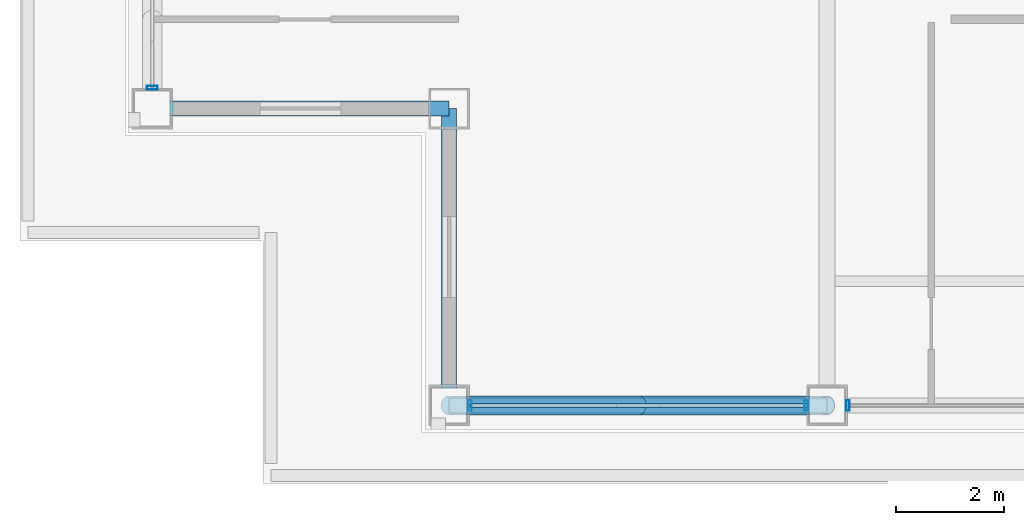
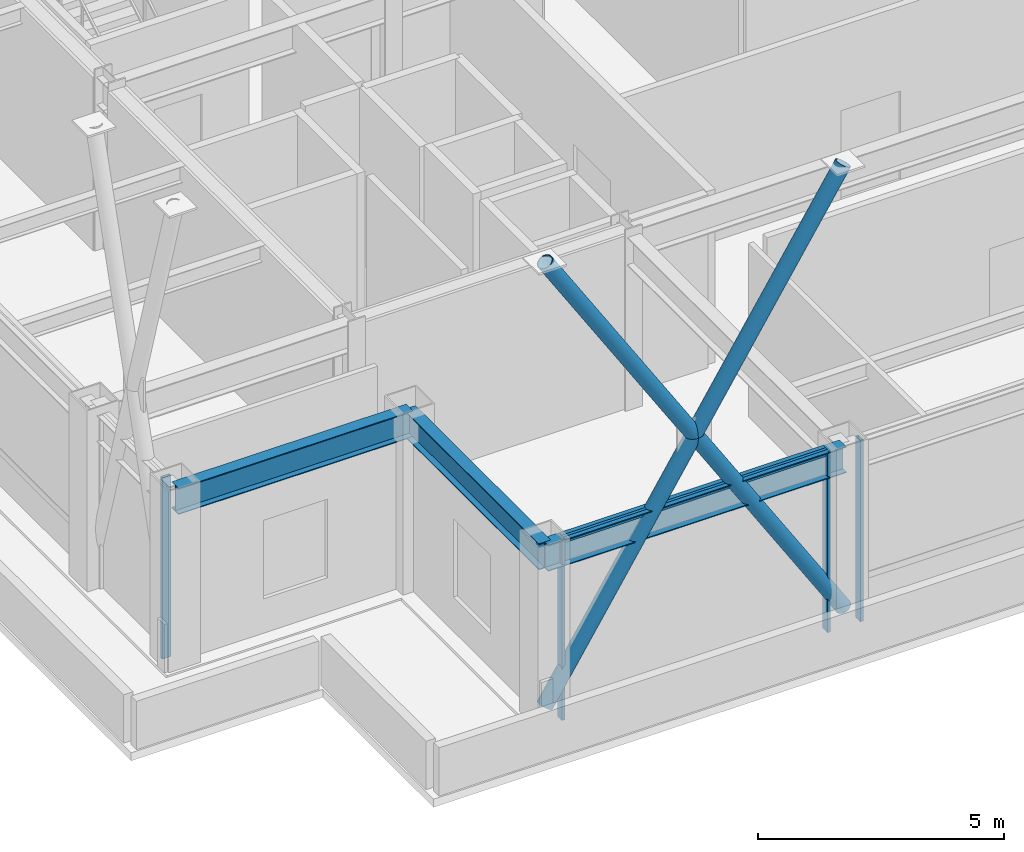
# One storey, part 2 of 24: 8 members, 3 beams, 3 elements without a shape of their own.
"""IFC4 building model written with IfcOpenShell, lengths in metres."""

from ifc_helpers import new_model, si_unit, direction, frame, origin, origin_2d, place, context, subcontext, project, spatial, hollow_rectangle, hollow_circle, i_section, extrude, material, layer, layer_set, material_profile, profile_set, type_object, element, aggregate, save


model = new_model("IFC4")

# Units and contexts
model_context = context("Model", 3, precision=1e-05, world=origin(), true_north=direction((0.0, 1.0)))
body_context = subcontext(model_context, "Body", "Model", "MODEL_VIEW")
ifc_project = project(units=[si_unit("LENGTHUNIT", "METRE"), si_unit("AREAUNIT", "SQUARE_METRE"), si_unit("VOLUMEUNIT", "CUBIC_METRE"), si_unit("PLANEANGLEUNIT", "RADIAN"), si_unit("MASSUNIT", "GRAM", prefix="KILO")], contexts=[model_context])

# Site, building, storey
site_placement = place(None, origin())
site = spatial("IfcSite", under=ifc_project, at=site_placement, CompositionType="ELEMENT")
building_placement = place(site_placement, origin())
building = spatial("IfcBuilding", under=site, at=building_placement, Name="Brelmoor Portico Tower", CompositionType="ELEMENT")
storey_placement = place(building_placement, frame((0.0, 0.0, 150.60009765625)))
storey = spatial("IfcBuildingStorey", under=building, at=storey_placement, Name="L39", CompositionType="ELEMENT", Elevation=150.60009765625)

# Beams
ifc_material_1 = material(Name="Steel Q355B", Category="steel")
ifc_material_profile_1 = material_profile(ifc_material_1, i_section(OverallWidth=0.280029296875, OverallDepth=0.64990234375, WebThickness=0.012939453125, FlangeThickness=0.02197265625, at=origin_2d()), Name="HN 650x280x13x22")
ifc_profile_set_1 = profile_set([ifc_material_profile_1], Name="Steel Q355B")
beam_type = type_object("IfcBeamType", Name="BM-SP-650", PredefinedType="SPANDREL", material=ifc_profile_set_1)
beam_placement = place(storey_placement, frame((-15.050048828125, -18.550048828125, 3.974853515625), z_axis=(1.0, 0.0, 0.0), x_axis=(0.0, 1.0, 0.0)))
element("IfcBeam", 1, at=beam_placement, inside=storey, type_object=beam_type, Name="L39 Perimeter Spandrel Beam SP-01", PredefinedType="SPANDREL", context=body_context, shape_type="SweptSolid", body=[
    extrude(i_section(OverallWidth=0.280029296875, OverallDepth=0.64990234375, WebThickness=0.012939453125, FlangeThickness=0.02197265625, at=origin_2d()), origin(), (0.0, 0.0, 1.0), 7.0),
])
for number, where, z_axis, x_axis, name in (
    (2, (-20.550048828125, -13.050048828125, 3.974853515625), (1.0, 0.0, 0.0), (0.0, 1.0, 0.0), "L39 Perimeter Spandrel Beam SP-04"),
    (3, (-15.050048828125, -18.550048828125, 3.974853515625), (0.0, 1.0, 0.0), (-1.0, 0.0, 0.0), "L39 Perimeter Spandrel Beam SP-14"),
):
    element("IfcBeam", number, at=place(storey_placement, frame(where, z_axis=z_axis, x_axis=x_axis)), inside=storey, type_object=beam_type, Name=name, PredefinedType="SPANDREL", context=body_context, shape_type="SweptSolid", body=[
        extrude(i_section(OverallWidth=0.280029296875, OverallDepth=0.64990234375, WebThickness=0.012939453125, FlangeThickness=0.02197265625, at=origin_2d()), origin(), (0.0, 0.0, 1.0), 5.5),
    ])

# Members
ifc_material_profile_2 = material_profile(ifc_material_1, hollow_circle(Radius=0.177978515625, WallThickness=0.01611328125, at=origin_2d()), Name="CHS 356x16")
ifc_profile_set_2 = profile_set([ifc_material_profile_2], Name="Steel Q355B")
member_type_1 = type_object("IfcMemberType", Name="MB-BELT-DIAG2", PredefinedType="BRACE", material=ifc_profile_set_2)
member_1_placement = place(storey_placement, frame((-15.050048828125, -18.550048828125, 0.25), z_axis=(0.536875492193, 0.0, 0.843661487732), x_axis=(0.0, 1.0, 0.0)))
element("IfcMember", 4, at=member_1_placement, inside=storey, type_object=member_type_1, Name="L39 Continuous Mega-X Brace 084A", PredefinedType="BRACE", context=body_context, shape_type="SweptSolid", body=[
    extrude(hollow_circle(Radius=0.177978515625, WallThickness=0.01611328125, at=origin_2d()), origin(), (0.0, 0.0, 1.0), 13.038330078125),
])
for number, where, z_axis, x_axis, name in (
    (5, (-8.050048828125, -18.550048828125, 0.25), (-0.536875492193, 0.0, 0.843661487732), (0.0, -1.0, 0.0), "L39 Split Mega-X Brace 084B1"),
    (6, (-11.550048828125, -18.550048828125, 5.75), (-0.536875492193, 0.0, 0.843661487732), (0.0, -1.0, 0.0), "L39 Split Mega-X Brace 084B2"),
):
    element("IfcMember", number, at=place(storey_placement, frame(where, z_axis=z_axis, x_axis=x_axis)), inside=storey, type_object=member_type_1, Name=name, PredefinedType="BRACE", context=body_context, shape_type="SweptSolid", body=[
        extrude(hollow_circle(Radius=0.177978515625, WallThickness=0.01611328125, at=origin_2d()), origin(), (0.0, 0.0, 1.0), 6.519287109375),
    ])

# Curtain wall, members
ifc_material_2 = material(Name="Anodised Aluminium Alloy 6063-T6", Category="aluminium")
ifc_layer_1 = layer(ifc_material_2, 0.179931640625)
ifc_layer_set_1 = layer_set([ifc_layer_1], Name="Anodised Aluminium Alloy 6063-T6")
curtain_wall_type_1 = type_object("IfcCurtainWallType", Name="CW-SKYLOBBY-XB", PredefinedType="NOTDEFINED", material=ifc_layer_set_1)
curtain_wall_1_placement = place(storey_placement, origin())
curtain_wall_1 = element("IfcCurtainWall", 7, at=curtain_wall_1_placement, inside=storey, type_object=curtain_wall_type_1, Name="L39 Curtain Wall CW-L39-01-1", PredefinedType="NOTDEFINED")
ifc_material_profile_3 = material_profile(ifc_material_2, hollow_rectangle(XDim=0.070068359375, YDim=0.199951171875, WallThickness=0.00439453125, at=origin_2d()), Name="ALU MULLION 70x200")
ifc_profile_set_3 = profile_set([ifc_material_profile_3], Name="Anodised Aluminium Alloy 6063-T6")
member_type_2 = type_object("IfcMemberType", Name="MB-CW-MULL-200", PredefinedType="MULLION", material=ifc_profile_set_3)
member_2_placement = place(storey_placement, frame((-14.6650390625, -18.550048828125, -0.2001953125), z_axis=(0.0, 0.0, 1.0), x_axis=(1.0, 0.0, 0.0)))
member_2 = element("IfcMember", 8, at=member_2_placement, type_object=member_type_2, Name="CW-L39-01-1 Mullion 00", PredefinedType="MULLION", context=body_context, shape_type="SweptSolid", body=[
    extrude(hollow_rectangle(XDim=0.070068359375, YDim=0.199951171875, WallThickness=0.00439453125, at=origin_2d()), origin(), (0.0, 0.0, 1.0), 4.5),
])
member_3_placement = place(storey_placement, frame((-8.43505859375, -18.550048828125, -0.2001953125), z_axis=(0.0, 0.0, 1.0), x_axis=(1.0, 0.0, 0.0)))
member_3 = element("IfcMember", 9, at=member_3_placement, type_object=member_type_2, Name="CW-L39-01-1 Mullion 01", PredefinedType="MULLION", context=body_context, shape_type="SweptSolid", body=[
    extrude(hollow_rectangle(XDim=0.070068359375, YDim=0.199951171875, WallThickness=0.00439453125, at=origin_2d()), origin(), (0.0, 0.0, 1.0), 4.5),
])

# Curtain wall, member
ifc_layer_2 = layer(ifc_material_2, 0.179931640625)
ifc_layer_set_2 = layer_set([ifc_layer_2], Name="Anodised Aluminium Alloy 6063-T6")
curtain_wall_type_2 = type_object("IfcCurtainWallType", Name="CW-SKYLOBBY", PredefinedType="NOTDEFINED", material=ifc_layer_set_2)
curtain_wall_2_placement = place(storey_placement, origin())
curtain_wall_2 = element("IfcCurtainWall", 10, at=curtain_wall_2_placement, inside=storey, type_object=curtain_wall_type_2, Name="L39 Curtain Wall CW-L39-01-2", PredefinedType="NOTDEFINED")
member_4_placement = place(storey_placement, frame((-7.6650390625, -18.550048828125, -0.2001953125), z_axis=(0.0, 0.0, 1.0), x_axis=(1.0, 0.0, 0.0)))
member_4 = element("IfcMember", 11, at=member_4_placement, type_object=member_type_2, Name="CW-L39-01-2 Mullion 00", PredefinedType="MULLION", context=body_context, shape_type="SweptSolid", body=[
    extrude(hollow_rectangle(XDim=0.070068359375, YDim=0.199951171875, WallThickness=0.00439453125, at=origin_2d()), origin(), (0.0, 0.0, 1.0), 4.5),
])
aggregate(curtain_wall_2, [member_4])

curtain_wall_3_placement = place(storey_placement, origin())
curtain_wall_3 = element("IfcCurtainWall", 12, at=curtain_wall_3_placement, inside=storey, type_object=curtain_wall_type_1, Name="L39 Curtain Wall CW-L39-03-1", PredefinedType="NOTDEFINED")
member_5_placement = place(storey_placement, frame((-20.550048828125, -12.6650390625, -0.2001953125), z_axis=(0.0, 0.0, 1.0), x_axis=(0.0, 1.0, 0.0)))
member_5 = element("IfcMember", 13, at=member_5_placement, type_object=member_type_2, Name="CW-L39-03-1 Mullion 00", PredefinedType="MULLION", context=body_context, shape_type="SweptSolid", body=[
    extrude(hollow_rectangle(XDim=0.070068359375, YDim=0.199951171875, WallThickness=0.00439453125, at=origin_2d()), origin(), (0.0, 0.0, 1.0), 4.5),
])
aggregate(curtain_wall_3, [member_5])

# Member
ifc_material_profile_4 = material_profile(ifc_material_2, hollow_rectangle(XDim=0.070068359375, YDim=0.159912109375, WallThickness=0.00390625, at=origin_2d()), Name="ALU TRANSOM 70x160")
ifc_profile_set_4 = profile_set([ifc_material_profile_4], Name="Anodised Aluminium Alloy 6063-T6")
member_type_3 = type_object("IfcMemberType", Name="MB-CW-TRAN-160", PredefinedType="USERDEFINED", material=ifc_profile_set_4)
member_6_placement = place(storey_placement, frame((-14.6650390625, -18.550048828125, 4.219970703125), z_axis=(1.0, 0.0, 0.0), x_axis=(0.0, 1.0, 0.0)))
member_6 = element("IfcMember", 14, at=member_6_placement, type_object=member_type_3, Name="CW-L39-01-1 Transom 1-00", ObjectType="TRANSOM", PredefinedType="USERDEFINED", context=body_context, shape_type="SweptSolid", body=[
    extrude(hollow_rectangle(XDim=0.070068359375, YDim=0.159912109375, WallThickness=0.00390625, at=origin_2d()), origin(), (0.0, 0.0, 1.0), 6.22998046875),
])

aggregate(curtain_wall_1, [member_2, member_3, member_6])

save(model, "model.ifc")
